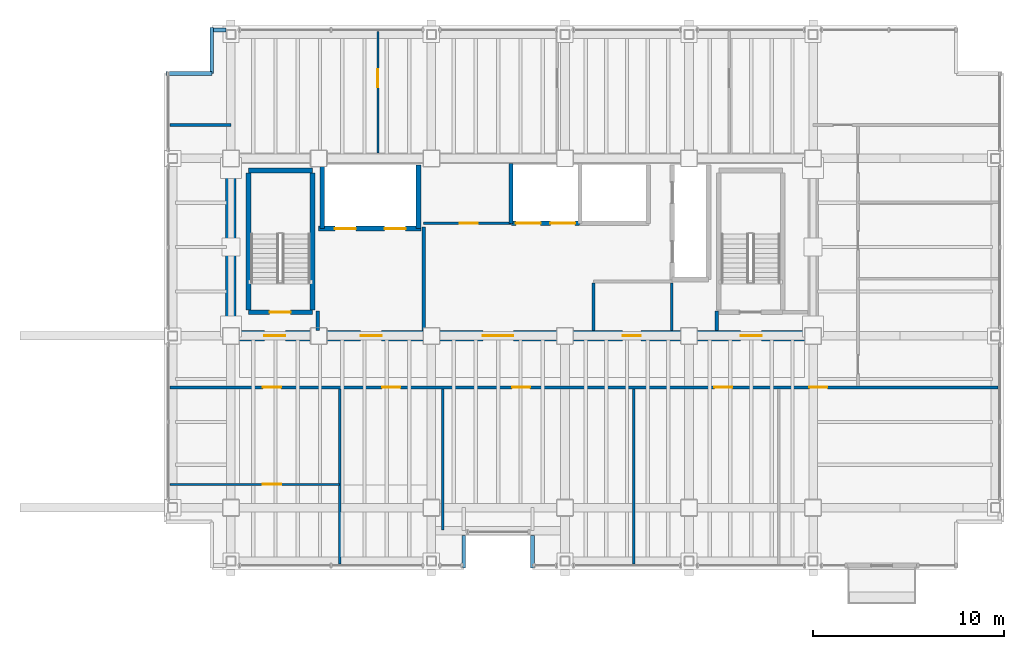
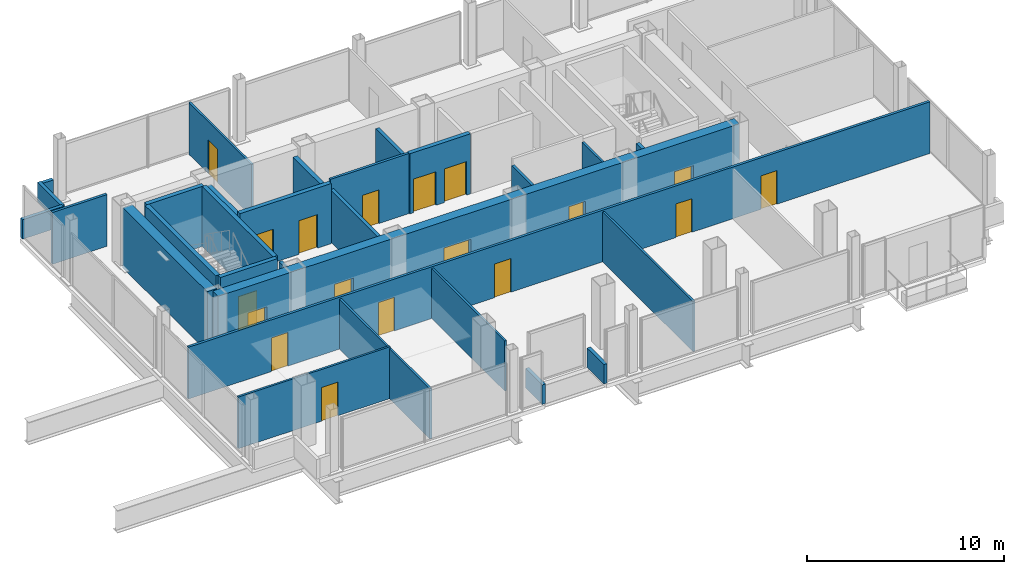
# One storey, part 16 of 19: 29 walls, 18 doors, 18 openings.
"""IFC4 building model written with IfcOpenShell, lengths in metres."""

from ifc_helpers import new_model, si_unit, direction, frame, frame_2d, origin, place, context, subcontext, project, spatial, rectangle, extrude, material, layer, layer_set, type_object, element, fill, save


model = new_model("IFC4")

# Units and contexts
model_context = context("Model", 3, precision=1e-05, world=origin(), true_north=direction((0.0, 1.0)))
body_context = subcontext(model_context, "Body", "Model", "MODEL_VIEW")
ifc_project = project(units=[si_unit("LENGTHUNIT", "METRE"), si_unit("AREAUNIT", "SQUARE_METRE"), si_unit("VOLUMEUNIT", "CUBIC_METRE"), si_unit("PLANEANGLEUNIT", "RADIAN"), si_unit("MASSUNIT", "GRAM", prefix="KILO")], contexts=[model_context])

# Site, building, storey
site_placement = place(None, origin())
site = spatial("IfcSite", under=ifc_project, at=site_placement, CompositionType="ELEMENT")
building_placement = place(site_placement, origin())
building = spatial("IfcBuilding", under=site, at=building_placement, Name="Noeulbin Bourse Tower", CompositionType="ELEMENT")
storey_placement = place(building_placement, frame((0.0, 0.0, 169.5)))
storey = spatial("IfcBuildingStorey", under=building, at=storey_placement, Name="L42", CompositionType="ELEMENT", Elevation=169.5)

# Wall, openings, doors
ifc_material_1 = material(Name="Concrete C60/75", Category="concrete")
ifc_layer_1 = layer(ifc_material_1, 0.550048828125)
ifc_layer_set_1 = layer_set([ifc_layer_1], Name="Concrete C60/75")
wall_type_1 = type_object("IfcWallType", Name="WAL-CORE-550", PredefinedType="SHEAR", material=ifc_layer_set_1)
wall_1_placement = place(storey_placement, frame((13.5, 29.0, 0.0), z_axis=(0.0, 0.0, 1.0), x_axis=(1.0, 0.0, 0.0)))
wall_1 = element("IfcWall", 1, at=wall_1_placement, inside=storey, type_object=wall_type_1, Name="Rear Core South Shear Wall L42", PredefinedType="SHEAR", context=body_context, shape_type="SweptSolid", body=[
    extrude(rectangle(XDim=30.5, YDim=0.550048828125, at=frame_2d((15.25, 0.0))), origin(), (0.0, 0.0, 1.0), 3.719970703125),
])
opening_1_placement = place(wall_1_placement, frame((1.75, 0.0, 0.0)))
opening_1 = element("IfcOpeningElement", 2, at=opening_1_placement, cuts=wall_1, Name="Opening FD-11", PredefinedType="OPENING", context=body_context, shape_type="SweptSolid", body=[
    extrude(rectangle(XDim=1.10009765625, YDim=2.080078125, at=frame_2d((0.550048828125, 1.0400390625))), frame((0.0, 0.284912109375, 0.0), z_axis=(0.0, -1.0, 0.0), x_axis=(1.0, 0.0, 0.0)), (0.0, 0.0, 1.0), 0.570068359375),
])
opening_2_placement = place(wall_1_placement, frame((26.699951171875, 0.0, 0.0)))
opening_2 = element("IfcOpeningElement", 3, at=opening_2_placement, cuts=wall_1, Name="Opening FD-11", PredefinedType="OPENING", context=body_context, shape_type="SweptSolid", body=[
    extrude(rectangle(XDim=1.10009765625, YDim=2.080078125, at=frame_2d((0.550048828125, 1.0400390625))), frame((0.0, 0.284912109375, 0.0), z_axis=(0.0, -1.0, 0.0), x_axis=(1.0, 0.0, 0.0)), (0.0, 0.0, 1.0), 0.570068359375),
])
opening_3_placement = place(wall_1_placement, frame((6.800048828125, 0.0, 0.0)))
opening_3 = element("IfcOpeningElement", 4, at=opening_3_placement, cuts=wall_1, Name="Opening FD-11", PredefinedType="OPENING", context=body_context, shape_type="SweptSolid", body=[
    extrude(rectangle(XDim=1.10009765625, YDim=2.080078125, at=frame_2d((0.550048828125, 1.0400390625))), frame((0.0, 0.284912109375, 0.0), z_axis=(0.0, -1.0, 0.0), x_axis=(1.0, 0.0, 0.0)), (0.0, 0.0, 1.0), 0.570068359375),
])
opening_4_placement = place(wall_1_placement, frame((13.199951171875, 0.0, 0.0)))
opening_4 = element("IfcOpeningElement", 5, at=opening_4_placement, cuts=wall_1, Name="Opening ID-16", PredefinedType="OPENING", context=body_context, shape_type="SweptSolid", body=[
    extrude(rectangle(XDim=1.60009765625, YDim=2.080078125, at=frame_2d((0.800048828125, 1.0400390625))), frame((0.0, 0.284912109375, 0.0), z_axis=(0.0, -1.0, 0.0), x_axis=(1.0, 0.0, 0.0)), (0.0, 0.0, 1.0), 0.570068359375),
])
opening_5_placement = place(wall_1_placement, frame((20.52490234375, 0.0, 0.0)))
opening_5 = element("IfcOpeningElement", 6, at=opening_5_placement, cuts=wall_1, Name="Opening ID-09", PredefinedType="OPENING", context=body_context, shape_type="SweptSolid", body=[
    extrude(rectangle(XDim=0.949951171875, YDim=2.080078125, at=frame_2d((0.47509765625, 1.0400390625))), frame((0.0, 0.284912109375, 0.0), z_axis=(0.0, -1.0, 0.0), x_axis=(1.0, 0.0, 0.0)), (0.0, 0.0, 1.0), 0.570068359375),
])
ifc_material_2 = material(Name="Acoustic Glazed Aluminium", Category="aluminium")
door_type_1 = type_object("IfcDoorType", Name="DR-DBL-1600", OperationType="DOUBLE_DOOR_SINGLE_SWING", PredefinedType="DOOR", material=ifc_material_2)
door_1_placement = place(opening_4_placement, origin())
door_1 = element("IfcDoor", 7, at=door_1_placement, inside=storey, type_object=door_type_1, Name="Passenger Lift Lobby Portal L42", OperationType="DOUBLE_DOOR_SINGLE_SWING", OverallHeight=2.080078125, OverallWidth=1.60009765625, PredefinedType="DOOR", context=body_context, shape_type="SweptSolid", body=[
    extrude(rectangle(XDim=1.60009765625, YDim=2.080078125, at=frame_2d((0.800048828125, 1.0400390625))), frame((0.0, 0.02490234375, 0.0), z_axis=(0.0, -1.0, 0.0), x_axis=(1.0, 0.0, 0.0)), (0.0, 0.0, 1.0), 0.050048828125),
])
fill(opening_4, door_1)
ifc_material_3 = material(Name="Fire-Rated Insulated Steel", Category="steel")
door_type_2 = type_object("IfcDoorType", Name="DR-FD60-1100", OperationType="SINGLE_SWING_LEFT", PredefinedType="DOOR", material=ifc_material_3)
door_2_placement = place(opening_1_placement, origin())
door_2 = element("IfcDoor", 8, at=door_2_placement, inside=storey, type_object=door_type_2, Name="West Stair Lobby Door L42", OperationType="SINGLE_SWING_RIGHT", OverallHeight=2.080078125, OverallWidth=1.10009765625, PredefinedType="DOOR", context=body_context, shape_type="SweptSolid", body=[
    extrude(rectangle(XDim=1.10009765625, YDim=2.080078125, at=frame_2d((0.550048828125, 1.0400390625))), frame((0.0, 0.02490234375, 0.0), z_axis=(0.0, -1.0, 0.0), x_axis=(1.0, 0.0, 0.0)), (0.0, 0.0, 1.0), 0.050048828125),
])
fill(opening_1, door_2)
door_3_placement = place(opening_2_placement, origin())
door_3 = element("IfcDoor", 9, at=door_3_placement, inside=storey, type_object=door_type_2, Name="East Stair Lobby Door L42", OperationType="SINGLE_SWING_LEFT", OverallHeight=2.080078125, OverallWidth=1.10009765625, PredefinedType="DOOR", context=body_context, shape_type="SweptSolid", body=[
    extrude(rectangle(XDim=1.10009765625, YDim=2.080078125, at=frame_2d((0.550048828125, 1.0400390625))), frame((0.0, 0.02490234375, 0.0), z_axis=(0.0, -1.0, 0.0), x_axis=(1.0, 0.0, 0.0)), (0.0, 0.0, 1.0), 0.050048828125),
])
fill(opening_2, door_3)
door_4_placement = place(opening_3_placement, origin())
door_4 = element("IfcDoor", 10, at=door_4_placement, inside=storey, type_object=door_type_2, Name="Firefighting Lobby Door L42", OperationType="SINGLE_SWING_RIGHT", OverallHeight=2.080078125, OverallWidth=1.10009765625, PredefinedType="DOOR", context=body_context, shape_type="SweptSolid", body=[
    extrude(rectangle(XDim=1.10009765625, YDim=2.080078125, at=frame_2d((0.550048828125, 1.0400390625))), frame((0.0, 0.02490234375, 0.0), z_axis=(0.0, -1.0, 0.0), x_axis=(1.0, 0.0, 0.0)), (0.0, 0.0, 1.0), 0.050048828125),
])
fill(opening_3, door_4)
ifc_material_4 = material(Name="Acoustic Solid-Core Timber", Category="wood")
door_type_3 = type_object("IfcDoorType", Name="DR-SINGLE-950", OperationType="SINGLE_SWING_LEFT", PredefinedType="DOOR", material=ifc_material_4)
door_5_placement = place(opening_5_placement, origin())
door_5 = element("IfcDoor", 11, at=door_5_placement, inside=storey, type_object=door_type_3, Name="Interior Door L42-06", OperationType="SINGLE_SWING_LEFT", OverallHeight=2.080078125, OverallWidth=0.949951171875, PredefinedType="DOOR", context=body_context, shape_type="SweptSolid", body=[
    extrude(rectangle(XDim=0.949951171875, YDim=2.080078125, at=frame_2d((0.47509765625, 1.0400390625))), frame((0.0, 0.02490234375, 0.0), z_axis=(0.0, -1.0, 0.0), x_axis=(1.0, 0.0, 0.0)), (0.0, 0.0, 1.0), 0.050048828125),
])
fill(opening_5, door_5)

# Walls
wall_2_placement = place(storey_placement, frame((13.5, 29.35009765625, 0.0), z_axis=(0.0, 0.0, 1.0), x_axis=(0.0, 1.0, 0.0)))
element("IfcWall", 12, at=wall_2_placement, inside=storey, type_object=wall_type_1, Name="Rear Core West Shear Wall L42", PredefinedType="SHEAR", context=body_context, shape_type="SweptSolid", body=[
    extrude(rectangle(XDim=8.599853515625, YDim=0.550048828125, at=frame_2d((4.2998046875, 0.0))), origin(), (0.0, 0.0, 1.0), 3.719970703125),
])
ifc_material_5 = material(Name="Concrete C40/50", Category="concrete")
ifc_layer_2 = layer(ifc_material_5, 0.199951171875)
ifc_layer_set_2 = layer_set([ifc_layer_2], Name="Concrete C40/50")
wall_type_2 = type_object("IfcWallType", Name="WAL-FIRE-200", PredefinedType="STANDARD", material=ifc_layer_set_2)
for number, where, z_axis, x_axis, name in (
    (13, (18.050048828125, 29.284912109375, 0.0), (0.0, 0.0, 1.0), (0.0, 1.0, 0.0), "Interior Partition Wall L42-10"),
    (14, (38.949951171875, 29.284912109375, 0.0), (0.0, 0.0, 1.0), (0.0, 1.0, 0.0), "Interior Partition Wall L42-11"),
):
    element("IfcWall", number, at=place(storey_placement, frame(where, z_axis=z_axis, x_axis=x_axis)), inside=storey, type_object=wall_type_2, Name=name, PredefinedType="STANDARD", context=body_context, shape_type="SweptSolid", body=[
        extrude(rectangle(XDim=1.01513671875, YDim=0.199951171875, at=frame_2d((0.507568359375, 0.0))), origin(), (0.0, 0.0, 1.0), 3.35009765625),
    ])
wall_3_placement = place(storey_placement, frame((23.60009765625, 29.284912109375, 0.0), z_axis=(0.0, 0.0, 1.0), x_axis=(0.0, 1.0, 0.0)))
element("IfcWall", 15, at=wall_3_placement, inside=storey, type_object=wall_type_2, Name="Interior Partition Wall L42-12", PredefinedType="STANDARD", context=body_context, shape_type="SweptSolid", body=[
    extrude(rectangle(XDim=5.4150390625, YDim=0.199951171875, at=frame_2d((2.70751953125, 0.0))), origin(), (0.0, 0.0, 1.0), 3.199951171875),
])
ifc_layer_3 = layer(ifc_material_5, 0.199951171875)
ifc_layer_set_3 = layer_set([ifc_layer_3], Name="Concrete C40/50")
wall_type_3 = type_object("IfcWallType", Name="WAL-PAR-200", PredefinedType="PARAPET", material=ifc_layer_set_3)
wall_4_placement = place(storey_placement, frame((12.60009765625, 45.030029296875, 0.0), z_axis=(0.0, 0.0, 1.0), x_axis=(1.0, 0.0, 0.0)))
element("IfcWall", 16, at=wall_4_placement, inside=storey, type_object=wall_type_3, Name="Perimeter Pier Spandrel Parapet L42-N1", PredefinedType="PARAPET", context=body_context, shape_type="SweptSolid", body=[
    extrude(rectangle(XDim=0.6298828125, YDim=0.199951171875, at=frame_2d((0.31494140625, 0.0))), origin(), (0.0, 0.0, 1.0), 1.199951171875),
])
for number, where, z_axis, x_axis, name in (
    (17, (10.10009765625, 42.75, 0.0), (0.0, 0.0, 1.0), (1.0, 0.0, 0.0), "Corner Notch Parapet L42-NW1"),
    (18, (12.5, 42.75, 0.0), (0.0, 0.0, 1.0), (0.0, 1.0, 0.0), "Corner Notch Parapet L42-NW2"),
):
    element("IfcWall", number, at=place(storey_placement, frame(where, z_axis=z_axis, x_axis=x_axis)), inside=storey, type_object=wall_type_3, Name=name, PredefinedType="PARAPET", context=body_context, shape_type="SweptSolid", body=[
        extrude(rectangle(XDim=2.39990234375, YDim=0.199951171875, at=frame_2d((1.199951171875, 0.0))), origin(), (0.0, 0.0, 1.0), 1.199951171875),
    ])
for number, where, z_axis, x_axis, name in (
    (19, (25.699951171875, 16.85009765625, 0.0), (0.0, 0.0, 1.0), (0.0, 1.0, 0.0), "Sky-Garden Recess Parapet L42-W"),
    (20, (29.300048828125, 18.550048828125, 0.0), (0.0, 0.0, 1.0), (0.0, -1.0, 0.0), "Sky-Garden Recess Parapet L42-E"),
):
    element("IfcWall", number, at=place(storey_placement, frame(where, z_axis=z_axis, x_axis=x_axis)), inside=storey, type_object=wall_type_3, Name=name, PredefinedType="PARAPET", context=body_context, shape_type="SweptSolid", body=[
        extrude(rectangle(XDim=1.699951171875, YDim=0.199951171875, at=frame_2d((0.85009765625, 0.0))), origin(), (0.0, 0.0, 1.0), 1.199951171875),
    ])

# Wall, opening, door
ifc_material_6 = material(Name="Steel Stud Gypsum Partition", Category="steel")
ifc_layer_4 = layer(ifc_material_6, 0.1201171875)
ifc_layer_set_4 = layer_set([ifc_layer_4], Name="Steel Stud Gypsum Partition")
wall_type_4 = type_object("IfcWallType", Name="WAL-PRT-120", PredefinedType="PARTITIONING", material=ifc_layer_set_4)
wall_5_placement = place(storey_placement, frame((10.31005859375, 21.218017578125, 0.0), z_axis=(0.0, 0.0, 1.0), x_axis=(1.0, 0.0, 0.0)))
wall_5 = element("IfcWall", 21, at=wall_5_placement, inside=storey, type_object=wall_type_4, Name="Interior Partition Wall L42-05", PredefinedType="PARTITIONING", context=body_context, shape_type="SweptSolid", body=[
    extrude(rectangle(XDim=8.889892578125, YDim=0.1201171875, at=frame_2d((4.44482421875, 0.0))), origin(), (0.0, 0.0, 1.0), 3.199951171875),
])
opening_6_placement = place(wall_5_placement, frame((4.8701171875, 0.0, 0.0)))
opening_6 = element("IfcOpeningElement", 22, at=opening_6_placement, cuts=wall_5, Name="Opening ID-09", PredefinedType="OPENING", context=body_context, shape_type="SweptSolid", body=[
    extrude(rectangle(XDim=0.949951171875, YDim=2.080078125, at=frame_2d((0.47509765625, 1.0400390625))), frame((0.0, 0.070068359375, 0.0), z_axis=(0.0, -1.0, 0.0), x_axis=(1.0, 0.0, 0.0)), (0.0, 0.0, 1.0), 0.14013671875),
])
door_6_placement = place(opening_6_placement, origin())
door_6 = element("IfcDoor", 23, at=door_6_placement, inside=storey, type_object=door_type_3, Name="Interior Door L42-07", OperationType="SINGLE_SWING_RIGHT", OverallHeight=2.080078125, OverallWidth=0.949951171875, PredefinedType="DOOR", context=body_context, shape_type="SweptSolid", body=[
    extrude(rectangle(XDim=0.949951171875, YDim=2.080078125, at=frame_2d((0.47509765625, 1.0400390625))), frame((0.0, 0.02490234375, 0.0), z_axis=(0.0, -1.0, 0.0), x_axis=(1.0, 0.0, 0.0)), (0.0, 0.0, 1.0), 0.050048828125),
])
fill(opening_6, door_6)

# Walls
wall_6_placement = place(storey_placement, frame((36.60009765625, 29.284912109375, 0.0), z_axis=(0.0, 0.0, 1.0), x_axis=(0.0, 1.0, 0.0)))
element("IfcWall", 24, at=wall_6_placement, inside=storey, type_object=wall_type_4, Name="Interior Partition Wall L42-14", PredefinedType="PARTITIONING", context=body_context, shape_type="SweptSolid", body=[
    extrude(rectangle(XDim=2.47998046875, YDim=0.1201171875, at=frame_2d((1.239990234375, 0.0))), origin(), (0.0, 0.0, 1.0), 3.35009765625),
])
wall_7_placement = place(storey_placement, frame((19.199951171875, 17.06005859375, 0.0), z_axis=(0.0, 0.0, 1.0), x_axis=(0.0, 1.0, 0.0)))
element("IfcWall", 25, at=wall_7_placement, inside=storey, type_object=wall_type_4, Name="Interior Partition Wall L42-16", PredefinedType="PARTITIONING", context=body_context, shape_type="SweptSolid", body=[
    extrude(rectangle(XDim=9.155029296875, YDim=0.1201171875, at=frame_2d((4.57763671875, 0.0))), origin(), (0.0, 0.0, 1.0), 3.10009765625),
])
wall_8_placement = place(storey_placement, frame((24.60009765625, 18.820068359375, 0.0), z_axis=(0.0, 0.0, 1.0), x_axis=(0.0, 1.0, 0.0)))
element("IfcWall", 26, at=wall_8_placement, inside=storey, type_object=wall_type_4, Name="Interior Partition Wall L42-17", PredefinedType="PARTITIONING", context=body_context, shape_type="SweptSolid", body=[
    extrude(rectangle(XDim=7.39501953125, YDim=0.1201171875, at=frame_2d((3.697509765625, 0.0))), origin(), (0.0, 0.0, 1.0), 3.10009765625),
])
wall_9_placement = place(storey_placement, frame((34.60009765625, 17.06005859375, 0.0), z_axis=(0.0, 0.0, 1.0), x_axis=(0.0, 1.0, 0.0)))
element("IfcWall", 27, at=wall_9_placement, inside=storey, type_object=wall_type_4, Name="Interior Partition Wall L42-18", PredefinedType="PARTITIONING", context=body_context, shape_type="SweptSolid", body=[
    extrude(rectangle(XDim=9.155029296875, YDim=0.1201171875, at=frame_2d((4.57763671875, 0.0))), origin(), (0.0, 0.0, 1.0), 3.10009765625),
])

# Wall, opening, door
wall_10_placement = place(storey_placement, frame((21.199951171875, 38.5849609375, 0.0), z_axis=(0.0, 0.0, 1.0), x_axis=(0.0, 1.0, 0.0)))
wall_10 = element("IfcWall", 28, at=wall_10_placement, inside=storey, type_object=wall_type_4, Name="Interior Partition Wall L42-20", PredefinedType="PARTITIONING", context=body_context, shape_type="SweptSolid", body=[
    extrude(rectangle(XDim=6.35498046875, YDim=0.1201171875, at=frame_2d((3.177490234375, 0.0))), origin(), (0.0, 0.0, 1.0), 3.2119140625),
])
opening_7_placement = place(wall_10_placement, frame((3.43505859375, 0.0, 0.0)))
opening_7 = element("IfcOpeningElement", 29, at=opening_7_placement, cuts=wall_10, Name="Opening ID-09", PredefinedType="OPENING", context=body_context, shape_type="SweptSolid", body=[
    extrude(rectangle(XDim=0.949951171875, YDim=2.080078125, at=frame_2d((0.47509765625, 1.0400390625))), frame((0.0, 0.070068359375, 0.0), z_axis=(0.0, -1.0, 0.0), x_axis=(1.0, 0.0, 0.0)), (0.0, 0.0, 1.0), 0.14013671875),
])
door_7_placement = place(opening_7_placement, origin())
door_7 = element("IfcDoor", 30, at=door_7_placement, inside=storey, type_object=door_type_3, Name="Interior Door L42-17", OperationType="SINGLE_SWING_RIGHT", OverallHeight=2.080078125, OverallWidth=0.949951171875, PredefinedType="DOOR", context=body_context, shape_type="SweptSolid", body=[
    extrude(rectangle(XDim=0.949951171875, YDim=2.080078125, at=frame_2d((0.47509765625, 1.0400390625))), frame((0.0, 0.02490234375, 0.0), z_axis=(0.0, -1.0, 0.0), x_axis=(1.0, 0.0, 0.0)), (0.0, 0.0, 1.0), 0.050048828125),
])
fill(opening_7, door_7)

ifc_material_7 = material(Name="Steel Stud Acoustic Gypsum Board", Category="steel")
ifc_layer_5 = layer(ifc_material_7, 0.14990234375)
ifc_layer_set_5 = layer_set([ifc_layer_5], Name="Steel Stud Acoustic Gypsum Board")
wall_type_5 = type_object("IfcWallType", Name="WAL-PRT-150", PredefinedType="PARTITIONING", material=ifc_layer_set_5)
wall_11_placement = place(storey_placement, frame((23.60009765625, 34.89990234375, 0.0), z_axis=(0.0, 0.0, 1.0), x_axis=(1.0, 0.0, 0.0)))
wall_11 = element("IfcWall", 31, at=wall_11_placement, inside=storey, type_object=wall_type_5, Name="Interior Partition Wall L42-02", PredefinedType="PARTITIONING", context=body_context, shape_type="SweptSolid", body=[
    extrude(rectangle(XDim=4.579833984375, YDim=0.14990234375, at=frame_2d((2.2900390625, 0.0))), origin(), (0.0, 0.0, 1.0), 3.719970703125),
])
opening_8_placement = place(wall_11_placement, frame((1.875, 0.0, 0.0)))
opening_8 = element("IfcOpeningElement", 32, at=opening_8_placement, cuts=wall_11, Name="Opening ID-09", PredefinedType="OPENING", context=body_context, shape_type="SweptSolid", body=[
    extrude(rectangle(XDim=0.949951171875, YDim=2.080078125, at=frame_2d((0.47509765625, 1.0400390625))), frame((0.0, 0.0849609375, 0.0), z_axis=(0.0, -1.0, 0.0), x_axis=(1.0, 0.0, 0.0)), (0.0, 0.0, 1.0), 0.169921875),
])
door_8_placement = place(opening_8_placement, origin())
door_8 = element("IfcDoor", 33, at=door_8_placement, inside=storey, type_object=door_type_3, Name="Archive Room Door L42", OperationType="SINGLE_SWING_RIGHT", OverallHeight=2.080078125, OverallWidth=0.949951171875, PredefinedType="DOOR", context=body_context, shape_type="SweptSolid", body=[
    extrude(rectangle(XDim=0.949951171875, YDim=2.080078125, at=frame_2d((0.47509765625, 1.0400390625))), frame((0.0, 0.02490234375, 0.0), z_axis=(0.0, -1.0, 0.0), x_axis=(1.0, 0.0, 0.0)), (0.0, 0.0, 1.0), 0.050048828125),
])
fill(opening_8, door_8)

# Wall, openings, doors
wall_12_placement = place(storey_placement, frame((10.31005859375, 26.300048828125, 0.0), z_axis=(0.0, 0.0, 1.0), x_axis=(1.0, 0.0, 0.0)))
wall_12 = element("IfcWall", 34, at=wall_12_placement, inside=storey, type_object=wall_type_5, Name="Interior Partition Wall L42-04", PredefinedType="PARTITIONING", context=body_context, shape_type="SweptSolid", body=[
    extrude(rectangle(XDim=43.3798828125, YDim=0.14990234375, at=frame_2d((21.68994140625, 0.0))), origin(), (0.0, 0.0, 1.0), 3.199951171875),
])
opening_9_placement = place(wall_12_placement, frame((4.8701171875, 0.0, 0.0)))
opening_9 = element("IfcOpeningElement", 35, at=opening_9_placement, cuts=wall_12, Name="Opening ID-09", PredefinedType="OPENING", context=body_context, shape_type="SweptSolid", body=[
    extrude(rectangle(XDim=0.949951171875, YDim=2.080078125, at=frame_2d((0.47509765625, 1.0400390625))), frame((0.0, 0.0849609375, 0.0), z_axis=(0.0, -1.0, 0.0), x_axis=(1.0, 0.0, 0.0)), (0.0, 0.0, 1.0), 0.169921875),
])
opening_10_placement = place(wall_12_placement, frame((11.114990234375, 0.0, 0.0)))
opening_10 = element("IfcOpeningElement", 36, at=opening_10_placement, cuts=wall_12, Name="Opening ID-09", PredefinedType="OPENING", context=body_context, shape_type="SweptSolid", body=[
    extrude(rectangle(XDim=0.949951171875, YDim=2.080078125, at=frame_2d((0.47509765625, 1.0400390625))), frame((0.0, 0.0849609375, 0.0), z_axis=(0.0, -1.0, 0.0), x_axis=(1.0, 0.0, 0.0)), (0.0, 0.0, 1.0), 0.169921875),
])
opening_11_placement = place(wall_12_placement, frame((17.9150390625, 0.0, 0.0)))
opening_11 = element("IfcOpeningElement", 37, at=opening_11_placement, cuts=wall_12, Name="Opening ID-09", PredefinedType="OPENING", context=body_context, shape_type="SweptSolid", body=[
    extrude(rectangle(XDim=0.949951171875, YDim=2.080078125, at=frame_2d((0.47509765625, 1.0400390625))), frame((0.0, 0.0849609375, 0.0), z_axis=(0.0, -1.0, 0.0), x_axis=(1.0, 0.0, 0.0)), (0.0, 0.0, 1.0), 0.169921875),
])
opening_12_placement = place(wall_12_placement, frame((28.514892578125, 0.0, 0.0)))
opening_12 = element("IfcOpeningElement", 38, at=opening_12_placement, cuts=wall_12, Name="Opening ID-09", PredefinedType="OPENING", context=body_context, shape_type="SweptSolid", body=[
    extrude(rectangle(XDim=0.949951171875, YDim=2.080078125, at=frame_2d((0.47509765625, 1.0400390625))), frame((0.0, 0.0849609375, 0.0), z_axis=(0.0, -1.0, 0.0), x_axis=(1.0, 0.0, 0.0)), (0.0, 0.0, 1.0), 0.169921875),
])
opening_13_placement = place(wall_12_placement, frame((33.489990234375, 0.0, 0.0)))
opening_13 = element("IfcOpeningElement", 39, at=opening_13_placement, cuts=wall_12, Name="Opening ID-09", PredefinedType="OPENING", context=body_context, shape_type="SweptSolid", body=[
    extrude(rectangle(XDim=0.949951171875, YDim=2.080078125, at=frame_2d((0.47509765625, 1.0400390625))), frame((0.0, 0.0849609375, 0.0), z_axis=(0.0, -1.0, 0.0), x_axis=(1.0, 0.0, 0.0)), (0.0, 0.0, 1.0), 0.169921875),
])
door_9_placement = place(opening_9_placement, origin())
door_9 = element("IfcDoor", 40, at=door_9_placement, inside=storey, type_object=door_type_3, Name="Interior Door L42-08", OperationType="SINGLE_SWING_LEFT", OverallHeight=2.080078125, OverallWidth=0.949951171875, PredefinedType="DOOR", context=body_context, shape_type="SweptSolid", body=[
    extrude(rectangle(XDim=0.949951171875, YDim=2.080078125, at=frame_2d((0.47509765625, 1.0400390625))), frame((0.0, 0.02490234375, 0.0), z_axis=(0.0, -1.0, 0.0), x_axis=(1.0, 0.0, 0.0)), (0.0, 0.0, 1.0), 0.050048828125),
])
fill(opening_9, door_9)
door_10_placement = place(opening_10_placement, origin())
door_10 = element("IfcDoor", 41, at=door_10_placement, inside=storey, type_object=door_type_3, Name="Interior Door L42-09", OperationType="SINGLE_SWING_RIGHT", OverallHeight=2.080078125, OverallWidth=0.949951171875, PredefinedType="DOOR", context=body_context, shape_type="SweptSolid", body=[
    extrude(rectangle(XDim=0.949951171875, YDim=2.080078125, at=frame_2d((0.47509765625, 1.0400390625))), frame((0.0, 0.02490234375, 0.0), z_axis=(0.0, -1.0, 0.0), x_axis=(1.0, 0.0, 0.0)), (0.0, 0.0, 1.0), 0.050048828125),
])
fill(opening_10, door_10)
door_11_placement = place(opening_11_placement, origin())
door_11 = element("IfcDoor", 42, at=door_11_placement, inside=storey, type_object=door_type_3, Name="Interior Door L42-10", OperationType="SINGLE_SWING_LEFT", OverallHeight=2.080078125, OverallWidth=0.949951171875, PredefinedType="DOOR", context=body_context, shape_type="SweptSolid", body=[
    extrude(rectangle(XDim=0.949951171875, YDim=2.080078125, at=frame_2d((0.47509765625, 1.0400390625))), frame((0.0, 0.02490234375, 0.0), z_axis=(0.0, -1.0, 0.0), x_axis=(1.0, 0.0, 0.0)), (0.0, 0.0, 1.0), 0.050048828125),
])
fill(opening_11, door_11)
door_12_placement = place(opening_12_placement, origin())
door_12 = element("IfcDoor", 43, at=door_12_placement, inside=storey, type_object=door_type_3, Name="Interior Door L42-11", OperationType="SINGLE_SWING_RIGHT", OverallHeight=2.080078125, OverallWidth=0.949951171875, PredefinedType="DOOR", context=body_context, shape_type="SweptSolid", body=[
    extrude(rectangle(XDim=0.949951171875, YDim=2.080078125, at=frame_2d((0.47509765625, 1.0400390625))), frame((0.0, 0.02490234375, 0.0), z_axis=(0.0, -1.0, 0.0), x_axis=(1.0, 0.0, 0.0)), (0.0, 0.0, 1.0), 0.050048828125),
])
fill(opening_12, door_12)
door_13_placement = place(opening_13_placement, origin())
door_13 = element("IfcDoor", 44, at=door_13_placement, inside=storey, type_object=door_type_3, Name="Interior Door L42-12", OperationType="SINGLE_SWING_LEFT", OverallHeight=2.080078125, OverallWidth=0.949951171875, PredefinedType="DOOR", context=body_context, shape_type="SweptSolid", body=[
    extrude(rectangle(XDim=0.949951171875, YDim=2.080078125, at=frame_2d((0.47509765625, 1.0400390625))), frame((0.0, 0.02490234375, 0.0), z_axis=(0.0, -1.0, 0.0), x_axis=(1.0, 0.0, 0.0)), (0.0, 0.0, 1.0), 0.050048828125),
])
fill(opening_13, door_13)

# Walls
wall_13_placement = place(storey_placement, frame((10.31005859375, 40.050048828125, 0.0), z_axis=(0.0, 0.0, 1.0), x_axis=(1.0, 0.0, 0.0)))
element("IfcWall", 45, at=wall_13_placement, inside=storey, type_object=wall_type_5, Name="Interior Partition Wall L42-08", PredefinedType="PARTITIONING", context=body_context, shape_type="SweptSolid", body=[
    extrude(rectangle(XDim=3.18994140625, YDim=0.14990234375, at=frame_2d((1.594970703125, 0.0))), origin(), (0.0, 0.0, 1.0), 3.199951171875),
])
wall_14_placement = place(storey_placement, frame((32.5, 29.284912109375, 0.0), z_axis=(0.0, 0.0, 1.0), x_axis=(0.0, 1.0, 0.0)))
element("IfcWall", 46, at=wall_14_placement, inside=storey, type_object=wall_type_5, Name="Interior Partition Wall L42-13", PredefinedType="PARTITIONING", context=body_context, shape_type="SweptSolid", body=[
    extrude(rectangle(XDim=2.47998046875, YDim=0.14990234375, at=frame_2d((1.239990234375, 0.0))), origin(), (0.0, 0.0, 1.0), 3.35009765625),
])

# Wall, opening, door
ifc_layer_6 = layer(ifc_material_5, 0.25)
ifc_layer_set_6 = layer_set([ifc_layer_6], Name="Concrete C40/50")
wall_type_6 = type_object("IfcWallType", Name="WAL-SHFT-250", PredefinedType="STANDARD", material=ifc_layer_set_6)
wall_15_placement = place(storey_placement, frame((14.429931640625, 30.235107421875, 0.0), z_axis=(0.0, 0.0, 1.0), x_axis=(1.0, 0.0, 0.0)))
wall_15 = element("IfcWall", 47, at=wall_15_placement, inside=storey, type_object=wall_type_6, Name="Stair ST-1 South Shaft Wall L42", PredefinedType="STANDARD", context=body_context, shape_type="SweptSolid", body=[
    extrude(rectangle(XDim=3.340087890625, YDim=0.25, at=frame_2d((1.669921875, 0.0))), origin(), (0.0, 0.0, 1.0), 3.719970703125),
])
opening_14_placement = place(wall_15_placement, frame((1.10009765625, 0.0, 0.0)))
opening_14 = element("IfcOpeningElement", 48, at=opening_14_placement, cuts=wall_15, Name="Opening FD-11", PredefinedType="OPENING", context=body_context, shape_type="SweptSolid", body=[
    extrude(rectangle(XDim=1.10009765625, YDim=2.080078125, at=frame_2d((0.550048828125, 1.0400390625))), frame((0.0, 0.135009765625, 0.0), z_axis=(0.0, -1.0, 0.0), x_axis=(1.0, 0.0, 0.0)), (0.0, 0.0, 1.0), 0.27001953125),
])
door_14_placement = place(opening_14_placement, origin())
door_14 = element("IfcDoor", 49, at=door_14_placement, inside=storey, type_object=door_type_2, Name="Protected Stair Entry Door ST1-L42", OperationType="SINGLE_SWING_RIGHT", OverallHeight=2.080078125, OverallWidth=1.10009765625, PredefinedType="DOOR", context=body_context, shape_type="SweptSolid", body=[
    extrude(rectangle(XDim=1.10009765625, YDim=2.080078125, at=frame_2d((0.550048828125, 1.0400390625))), frame((0.0, 0.02490234375, 0.0), z_axis=(0.0, -1.0, 0.0), x_axis=(1.0, 0.0, 0.0)), (0.0, 0.0, 1.0), 0.050048828125),
])
fill(opening_14, door_14)

# Walls
wall_16_placement = place(storey_placement, frame((14.429931640625, 37.6689453125, 0.0), z_axis=(0.0, 0.0, 1.0), x_axis=(1.0, 0.0, 0.0)))
element("IfcWall", 50, at=wall_16_placement, inside=storey, type_object=wall_type_6, Name="Stair ST-1 North Shaft Wall L42", PredefinedType="STANDARD", context=body_context, shape_type="SweptSolid", body=[
    extrude(rectangle(XDim=3.340087890625, YDim=0.25, at=frame_2d((1.669921875, 0.0))), origin(), (0.0, 0.0, 1.0), 3.719970703125),
])
for number, where, z_axis, x_axis, name in (
    (51, (14.425048828125, 30.360107421875, 0.0), (0.0, 0.0, 1.0), (0.0, 1.0, 0.0), "Stair ST-1 West Shaft Wall L42"),
    (52, (17.77490234375, 30.360107421875, 0.0), (0.0, 0.0, 1.0), (0.0, 1.0, 0.0), "Stair ST-1 East Shaft Wall L42"),
):
    element("IfcWall", number, at=place(storey_placement, frame(where, z_axis=z_axis, x_axis=x_axis)), inside=storey, type_object=wall_type_6, Name=name, PredefinedType="STANDARD", context=body_context, shape_type="SweptSolid", body=[
        extrude(rectangle(XDim=7.183837890625, YDim=0.25, at=frame_2d((3.591796875, 0.0))), origin(), (0.0, 0.0, 1.0), 3.719970703125),
    ])

# Wall, openings, doors
wall_17_placement = place(storey_placement, frame((18.10009765625, 34.6201171875, 0.0), z_axis=(0.0, 0.0, 1.0), x_axis=(1.0, 0.0, 0.0)))
wall_17 = element("IfcWall", 53, at=wall_17_placement, inside=storey, type_object=wall_type_6, Name="Firefighting Lift Shaft Front L42", PredefinedType="STANDARD", context=body_context, shape_type="SweptSolid", body=[
    extrude(rectangle(XDim=5.349853515625, YDim=0.25, at=frame_2d((2.6748046875, 0.0))), origin(), (0.0, 0.0, 1.0), 3.719970703125),
])
opening_15_placement = place(wall_17_placement, frame((0.85009765625, 0.0, 0.0)))
opening_15 = element("IfcOpeningElement", 54, at=opening_15_placement, cuts=wall_17, Name="Opening LD-11", PredefinedType="OPENING", context=body_context, shape_type="SweptSolid", body=[
    extrude(rectangle(XDim=1.10009765625, YDim=2.080078125, at=frame_2d((0.550048828125, 1.0400390625))), frame((0.0, 0.135009765625, 0.0), z_axis=(0.0, -1.0, 0.0), x_axis=(1.0, 0.0, 0.0)), (0.0, 0.0, 1.0), 0.27001953125),
])
opening_16_placement = place(wall_17_placement, frame((3.449951171875, 0.0, 0.0)))
opening_16 = element("IfcOpeningElement", 55, at=opening_16_placement, cuts=wall_17, Name="Opening LD-11", PredefinedType="OPENING", context=body_context, shape_type="SweptSolid", body=[
    extrude(rectangle(XDim=1.10009765625, YDim=2.080078125, at=frame_2d((0.550048828125, 1.0400390625))), frame((0.0, 0.135009765625, 0.0), z_axis=(0.0, -1.0, 0.0), x_axis=(1.0, 0.0, 0.0)), (0.0, 0.0, 1.0), 0.27001953125),
])
ifc_material_8 = material(Name="Brushed Stainless Steel 316", Category="steel")
door_type_4 = type_object("IfcDoorType", Name="DR-LIFT-1100", OperationType="SLIDING_TO_LEFT", PredefinedType="DOOR", material=ifc_material_8)
door_15_placement = place(opening_15_placement, origin())
door_15 = element("IfcDoor", 56, at=door_15_placement, inside=storey, type_object=door_type_4, Name="Lift Landing Door LD-FL-01-L42", OperationType="SLIDING_TO_LEFT", OverallHeight=2.080078125, OverallWidth=1.10009765625, PredefinedType="DOOR", context=body_context, shape_type="SweptSolid", body=[
    extrude(rectangle(XDim=1.10009765625, YDim=2.080078125, at=frame_2d((0.550048828125, 1.0400390625))), frame((0.0, 0.02490234375, 0.0), z_axis=(0.0, -1.0, 0.0), x_axis=(1.0, 0.0, 0.0)), (0.0, 0.0, 1.0), 0.050048828125),
])
fill(opening_15, door_15)
door_16_placement = place(opening_16_placement, origin())
door_16 = element("IfcDoor", 57, at=door_16_placement, inside=storey, type_object=door_type_4, Name="Lift Landing Door LD-FL-02-L42", OperationType="SLIDING_TO_LEFT", OverallHeight=2.080078125, OverallWidth=1.10009765625, PredefinedType="DOOR", context=body_context, shape_type="SweptSolid", body=[
    extrude(rectangle(XDim=1.10009765625, YDim=2.080078125, at=frame_2d((0.550048828125, 1.0400390625))), frame((0.0, 0.02490234375, 0.0), z_axis=(0.0, -1.0, 0.0), x_axis=(1.0, 0.0, 0.0)), (0.0, 0.0, 1.0), 0.050048828125),
])
fill(opening_16, door_16)

# Walls
for number, where, z_axis, x_axis, name in (
    (58, (18.280029296875, 34.6201171875, 0.0), (0.0, 0.0, 1.0), (0.0, 1.0, 0.0), "Firefighting Lift West Shaft Wall L42"),
    (59, (23.320068359375, 34.6201171875, 0.0), (0.0, 0.0, 1.0), (0.0, 1.0, 0.0), "Firefighting Lift East Shaft Wall L42"),
):
    element("IfcWall", number, at=place(storey_placement, frame(where, z_axis=z_axis, x_axis=x_axis)), inside=storey, type_object=wall_type_6, Name=name, PredefinedType="STANDARD", context=body_context, shape_type="SweptSolid", body=[
        extrude(rectangle(XDim=3.329833984375, YDim=0.25, at=frame_2d((1.6650390625, 0.0))), origin(), (0.0, 0.0, 1.0), 3.35009765625),
    ])

# Wall, openings, doors
wall_18_placement = place(storey_placement, frame((28.199951171875, 34.89990234375, 0.0), z_axis=(0.0, 0.0, 1.0), x_axis=(1.0, 0.0, 0.0)))
wall_18 = element("IfcWall", 60, at=wall_18_placement, inside=storey, type_object=wall_type_6, Name="Mid-Rise Lift Bank Front L42", PredefinedType="STANDARD", context=body_context, shape_type="SweptSolid", body=[
    extrude(rectangle(XDim=3.550048828125, YDim=0.25, at=frame_2d((1.77490234375, 0.0))), origin(), (0.0, 0.0, 1.0), 3.719970703125),
])
opening_17_placement = place(wall_18_placement, frame((0.22998046875, 0.0, 0.0)))
opening_17 = element("IfcOpeningElement", 61, at=opening_17_placement, cuts=wall_18, Name="Opening LD-13", PredefinedType="OPENING", context=body_context, shape_type="SweptSolid", body=[
    extrude(rectangle(XDim=1.300048828125, YDim=2.080078125, at=frame_2d((0.64990234375, 1.0400390625))), frame((0.0, 0.135009765625, 0.0), z_axis=(0.0, -1.0, 0.0), x_axis=(1.0, 0.0, 0.0)), (0.0, 0.0, 1.0), 0.27001953125),
])
opening_18_placement = place(wall_18_placement, frame((2.030029296875, 0.0, 0.0)))
opening_18 = element("IfcOpeningElement", 62, at=opening_18_placement, cuts=wall_18, Name="Opening LD-13", PredefinedType="OPENING", context=body_context, shape_type="SweptSolid", body=[
    extrude(rectangle(XDim=1.300048828125, YDim=2.080078125, at=frame_2d((0.64990234375, 1.0400390625))), frame((0.0, 0.135009765625, 0.0), z_axis=(0.0, -1.0, 0.0), x_axis=(1.0, 0.0, 0.0)), (0.0, 0.0, 1.0), 0.27001953125),
])
door_type_5 = type_object("IfcDoorType", Name="DR-LIFT-1300", OperationType="DOUBLE_DOOR_SLIDING", PredefinedType="DOOR", material=ifc_material_8)
door_17_placement = place(opening_17_placement, origin())
door_17 = element("IfcDoor", 63, at=door_17_placement, inside=storey, type_object=door_type_5, Name="Lift Landing Door LD-PL-M1-L42", OperationType="DOUBLE_DOOR_SLIDING", OverallHeight=2.080078125, OverallWidth=1.300048828125, PredefinedType="DOOR", context=body_context, shape_type="SweptSolid", body=[
    extrude(rectangle(XDim=1.300048828125, YDim=2.080078125, at=frame_2d((0.64990234375, 1.0400390625))), frame((0.0, 0.02490234375, 0.0), z_axis=(0.0, -1.0, 0.0), x_axis=(1.0, 0.0, 0.0)), (0.0, 0.0, 1.0), 0.050048828125),
])
fill(opening_17, door_17)
door_18_placement = place(opening_18_placement, origin())
door_18 = element("IfcDoor", 64, at=door_18_placement, inside=storey, type_object=door_type_5, Name="Lift Landing Door LD-PL-M2-L42", OperationType="DOUBLE_DOOR_SLIDING", OverallHeight=2.080078125, OverallWidth=1.300048828125, PredefinedType="DOOR", context=body_context, shape_type="SweptSolid", body=[
    extrude(rectangle(XDim=1.300048828125, YDim=2.080078125, at=frame_2d((0.64990234375, 1.0400390625))), frame((0.0, 0.02490234375, 0.0), z_axis=(0.0, -1.0, 0.0), x_axis=(1.0, 0.0, 0.0)), (0.0, 0.0, 1.0), 0.050048828125),
])
fill(opening_18, door_18)

# Wall
wall_19_placement = place(storey_placement, frame((28.179931640625, 34.89990234375, 0.0), z_axis=(0.0, 0.0, 1.0), x_axis=(0.0, 1.0, 0.0)))
element("IfcWall", 65, at=wall_19_placement, inside=storey, type_object=wall_type_6, Name="Hoistway Side Shaft Wall L42-PLMW", PredefinedType="STANDARD", context=body_context, shape_type="SweptSolid", body=[
    extrude(rectangle(XDim=3.1201171875, YDim=0.199951171875, at=frame_2d((1.56005859375, 0.0))), origin(), (0.0, 0.0, 1.0), 3.35009765625),
])

save(model, "model.ifc")
